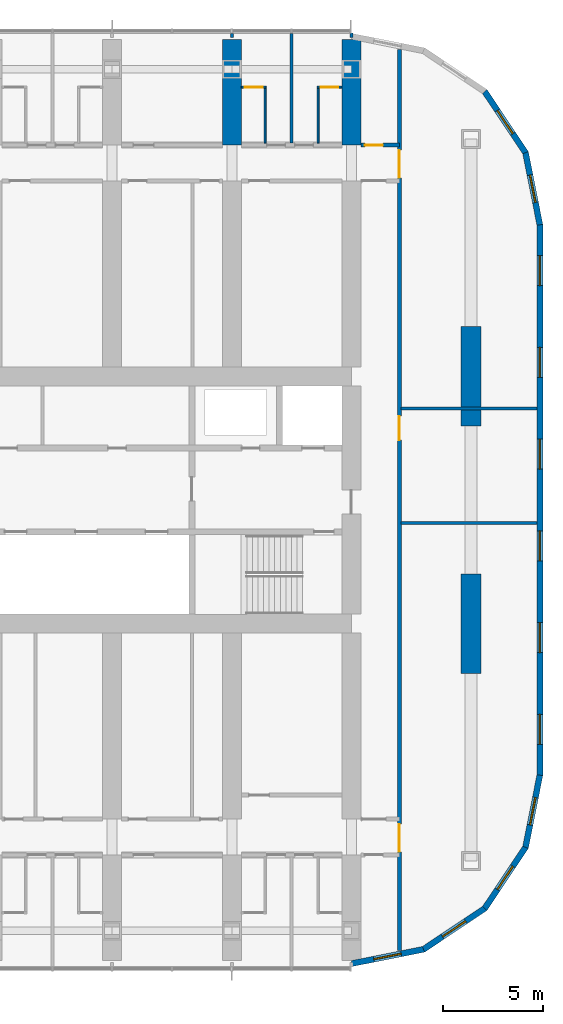
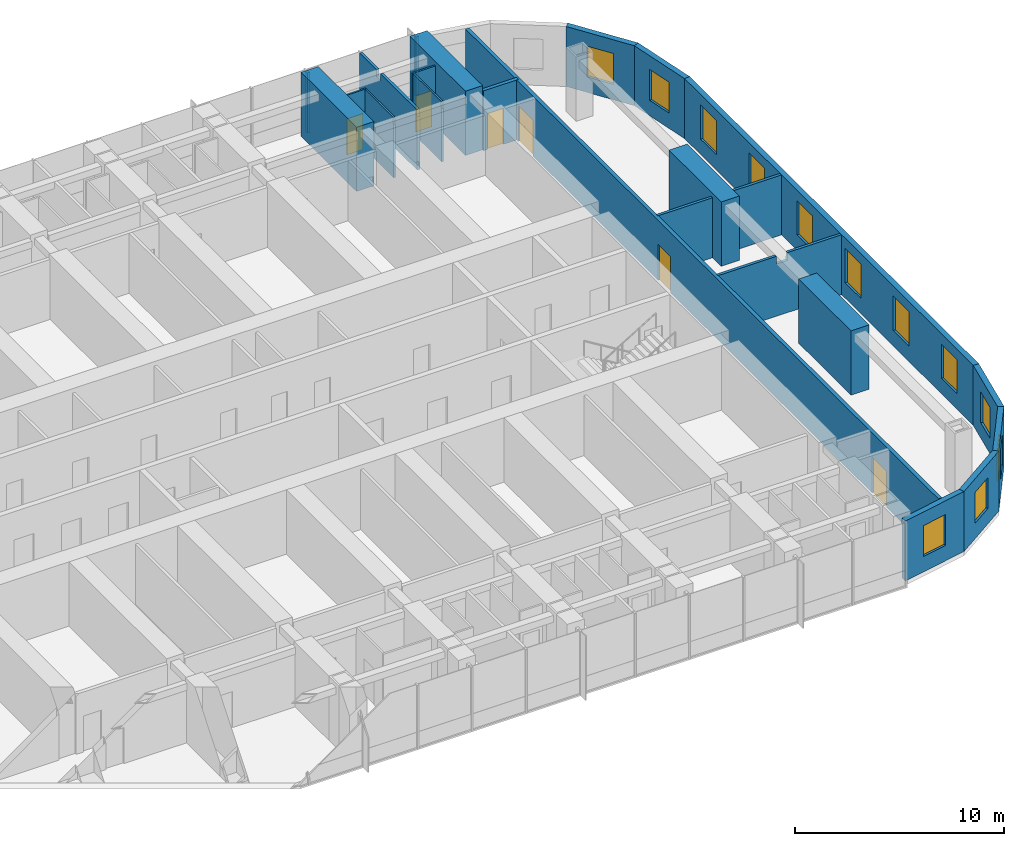
# One storey, part 15 of 21: 22 walls, 12 windows, 6 doors, 18 openings.
"""IFC4 building model written with IfcOpenShell, lengths in metres."""

from ifc_helpers import new_model, si_unit, direction, frame, frame_2d, origin, place, context, subcontext, project, spatial, polyline, rectangle, outline, extrude, material, layer, layer_set, type_object, element, fill, save


model = new_model("IFC4")

# Units and contexts
model_context = context("Model", 3, precision=1e-05, world=origin(), true_north=direction((0.0, 1.0)))
body_context = subcontext(model_context, "Body", "Model", "MODEL_VIEW")
ifc_project = project(units=[si_unit("LENGTHUNIT", "METRE"), si_unit("AREAUNIT", "SQUARE_METRE"), si_unit("VOLUMEUNIT", "CUBIC_METRE"), si_unit("PLANEANGLEUNIT", "RADIAN"), si_unit("MASSUNIT", "GRAM", prefix="KILO")], contexts=[model_context])

# Site, building, storey
site_placement = place(None, origin())
site = spatial("IfcSite", under=ifc_project, at=site_placement, CompositionType="ELEMENT")
building_placement = place(site_placement, origin())
building = spatial("IfcBuilding", under=site, at=building_placement, Name="Orbita Commons", CompositionType="ELEMENT")
storey_placement = place(building_placement, frame((0.0, 0.0, 106.89990234375)))
storey = spatial("IfcBuildingStorey", under=building, at=storey_placement, Name="L26", CompositionType="ELEMENT", Elevation=106.89990234375)

# Wall, opening, door
ifc_material_1 = material(Name="Concrete blockwork", Category="masonry")
ifc_layer_1 = layer(ifc_material_1, 0.199951171875)
ifc_layer_set_1 = layer_set([ifc_layer_1], Name="Concrete blockwork")
wall_type_1 = type_object("IfcWallType", Name="Corridor wall 200 blockwork", PredefinedType="SOLIDWALL", material=ifc_layer_set_1)
wall_1_placement = place(storey_placement, frame((66.47509765625, 49.800048828125, 0.0), z_axis=(0.0, 0.0, 1.0), x_axis=(1.0, 0.0, 0.0)))
wall_1 = element("IfcWall", 1, at=wall_1_placement, inside=storey, type_object=wall_type_1, Name="Corridor wall 200 blockwork L26", PredefinedType="SOLIDWALL", context=body_context, shape_type="SweptSolid", body=[
    extrude(rectangle(XDim=1.9248046875, YDim=0.199951171875, at=frame_2d((0.96240234375, 0.0))), origin(), (0.0, 0.0, 1.0), 3.5),
])
opening_1_placement = place(wall_1_placement, frame((0.199951171875, 0.0, 0.0)))
opening_1 = element("IfcOpeningElement", 2, at=opening_1_placement, cuts=wall_1, Name="Opening D05", PredefinedType="OPENING", context=body_context, shape_type="SweptSolid", body=[
    extrude(rectangle(XDim=0.89990234375, YDim=2.10009765625, at=frame_2d((0.449951171875, 1.050048828125))), frame((0.0, 0.10986328125, 0.0), z_axis=(0.0, -1.0, 0.0), x_axis=(1.0, 0.0, 0.0)), (0.0, 0.0, 1.0), 0.219970703125),
])
ifc_material_2 = material(Name="Steel-faced fire door leaf", Category="steel")
door_type_1 = type_object("IfcDoorType", Name="Service door 20 min 900x2100", OperationType="SINGLE_SWING_LEFT", PredefinedType="DOOR", material=ifc_material_2)
door_1_placement = place(opening_1_placement, origin())
door_1 = element("IfcDoor", 3, at=door_1_placement, inside=storey, type_object=door_type_1, Name="Linen store L26-KEN door", OperationType="SINGLE_SWING_LEFT", OverallHeight=2.10009765625, OverallWidth=0.89990234375, PredefinedType="DOOR", context=body_context, shape_type="SweptSolid", body=[
    extrude(rectangle(XDim=0.89990234375, YDim=2.10009765625, at=frame_2d((0.449951171875, 1.050048828125))), frame((0.0, 0.02490234375, 0.0), z_axis=(0.0, -1.0, 0.0), x_axis=(1.0, 0.0, 0.0)), (0.0, 0.0, 1.0), 0.050048828125),
])
fill(opening_1, door_1)

# Wall, openings, doors
wall_2_placement = place(storey_placement, frame((68.39990234375, 9.4052734375, 0.0), z_axis=(0.0, 0.0, 1.0), x_axis=(0.0, 1.0, 0.0)))
wall_2 = element("IfcWall", 4, at=wall_2_placement, inside=storey, type_object=wall_type_1, Name="Corridor wall 200 blockwork L26", PredefinedType="SOLIDWALL", context=body_context, shape_type="SweptSolid", body=[
    extrude(rectangle(XDim=45.189453125, YDim=0.199951171875, at=frame_2d((22.5947265625, 0.0))), origin(), (0.0, 0.0, 1.0), 3.5),
])
opening_2_placement = place(wall_2_placement, frame((25.5947265625, 0.0, 0.0)))
opening_2 = element("IfcOpeningElement", 5, at=opening_2_placement, cuts=wall_2, Name="Opening D15", PredefinedType="OPENING", context=body_context, shape_type="SweptSolid", body=[
    extrude(rectangle(XDim=1.199951171875, YDim=2.10009765625, at=frame_2d((0.60009765625, 1.050048828125))), frame((0.0, 0.10986328125, 0.0), z_axis=(0.0, -1.0, 0.0), x_axis=(1.0, 0.0, 0.0)), (0.0, 0.0, 1.0), 0.219970703125),
])
opening_3_placement = place(wall_2_placement, frame((4.94482421875, 0.0, 0.0)))
opening_3 = element("IfcOpeningElement", 6, at=opening_3_placement, cuts=wall_2, Name="Opening D08", PredefinedType="OPENING", context=body_context, shape_type="SweptSolid", body=[
    extrude(rectangle(XDim=1.39990234375, YDim=2.10009765625, at=frame_2d((0.699951171875, 1.050048828125))), frame((0.0, 0.10986328125, 0.0), z_axis=(0.0, -1.0, 0.0), x_axis=(1.0, 0.0, 0.0)), (0.0, 0.0, 1.0), 0.219970703125),
])
opening_4_placement = place(wall_2_placement, frame((38.74462890625, 0.0, 0.0)))
opening_4 = element("IfcOpeningElement", 7, at=opening_4_placement, cuts=wall_2, Name="Opening D08", PredefinedType="OPENING", context=body_context, shape_type="SweptSolid", body=[
    extrude(rectangle(XDim=1.39990234375, YDim=2.10009765625, at=frame_2d((0.699951171875, 1.050048828125))), frame((0.0, 0.10986328125, 0.0), z_axis=(0.0, -1.0, 0.0), x_axis=(1.0, 0.0, 0.0)), (0.0, 0.0, 1.0), 0.219970703125),
])
ifc_material_3 = material(Name="Steel-faced fire door leaf", Category="steel")
door_type_2 = type_object("IfcDoorType", Name="Corridor door 20 min 1200x2100", OperationType="SINGLE_SWING_LEFT", PredefinedType="DOOR", material=ifc_material_3)
door_2_placement = place(opening_2_placement, origin())
door_2 = element("IfcDoor", 8, at=door_2_placement, inside=storey, type_object=door_type_2, Name="Study commons door", OperationType="SINGLE_SWING_LEFT", OverallHeight=2.10009765625, OverallWidth=1.199951171875, PredefinedType="DOOR", context=body_context, shape_type="SweptSolid", body=[
    extrude(rectangle(XDim=1.199951171875, YDim=2.10009765625, at=frame_2d((0.60009765625, 1.050048828125))), frame((0.0, 0.02490234375, 0.0), z_axis=(0.0, -1.0, 0.0), x_axis=(1.0, 0.0, 0.0)), (0.0, 0.0, 1.0), 0.050048828125),
])
fill(opening_2, door_2)
ifc_material_4 = material(Name="Steel-faced fire door leaf", Category="steel")
door_type_3 = type_object("IfcDoorType", Name="Double corridor door 20 min 1400x2100", OperationType="DOUBLE_DOOR_SINGLE_SWING", PredefinedType="DOOR", material=ifc_material_4)
door_3_placement = place(opening_3_placement, origin())
door_3 = element("IfcDoor", 9, at=door_3_placement, inside=storey, type_object=door_type_3, Name="Lounge doors", OperationType="DOUBLE_DOOR_SINGLE_SWING", OverallHeight=2.10009765625, OverallWidth=1.39990234375, PredefinedType="DOOR", context=body_context, shape_type="SweptSolid", body=[
    extrude(rectangle(XDim=1.39990234375, YDim=2.10009765625, at=frame_2d((0.699951171875, 1.050048828125))), frame((0.0, 0.02490234375, 0.0), z_axis=(0.0, -1.0, 0.0), x_axis=(1.0, 0.0, 0.0)), (0.0, 0.0, 1.0), 0.050048828125),
])
fill(opening_3, door_3)
door_4_placement = place(opening_4_placement, origin())
door_4 = element("IfcDoor", 10, at=door_4_placement, inside=storey, type_object=door_type_3, Name="Lounge doors", OperationType="DOUBLE_DOOR_SINGLE_SWING", OverallHeight=2.10009765625, OverallWidth=1.39990234375, PredefinedType="DOOR", context=body_context, shape_type="SweptSolid", body=[
    extrude(rectangle(XDim=1.39990234375, YDim=2.10009765625, at=frame_2d((0.699951171875, 1.050048828125))), frame((0.0, 0.02490234375, 0.0), z_axis=(0.0, -1.0, 0.0), x_axis=(1.0, 0.0, 0.0)), (0.0, 0.0, 1.0), 0.050048828125),
])
fill(opening_4, door_4)

# Walls
ifc_material_5 = material(Name="Concrete C50/60", Category="concrete")
ifc_layer_2 = layer(ifc_material_5, 0.949951171875)
ifc_layer_set_2 = layer_set([ifc_layer_2], Name="Concrete C50/60")
wall_type_2 = type_object("IfcWallType", Name="Cross wall 950 C50/60", PredefinedType="SHEAR", material=ifc_layer_set_2)
for number, where, z_axis, x_axis, name in (
    (11, (60.0, 49.800048828125, 0.0), (0.0, 0.0, 1.0), (0.0, 1.0, 0.0), "Cross wall 11 north outer L26"),
    (12, (66.0, 49.800048828125, 0.0), (0.0, 0.0, 1.0), (0.0, 1.0, 0.0), "Cross wall 12 north outer L26"),
):
    element("IfcWall", number, at=place(storey_placement, frame(where, z_axis=z_axis, x_axis=x_axis)), inside=storey, type_object=wall_type_2, Name=name, PredefinedType="SHEAR", context=body_context, shape_type="SweptSolid", body=[
        extrude(rectangle(XDim=5.300048828125, YDim=0.949951171875, at=frame_2d((2.64990234375, 0.0))), origin(), (0.0, 0.0, 1.0), 3.75),
    ])

# Wall, opening, door
ifc_material_6 = material(Name="Moisture-resistant plasterboard on steel studs", Category="steel")
ifc_layer_3 = layer(ifc_material_6, 0.10009765625)
ifc_layer_set_3 = layer_set([ifc_layer_3], Name="Moisture-resistant plasterboard on steel studs")
wall_type_3 = type_object("IfcWallType", Name="En-suite partition 100", PredefinedType="PARTITIONING", material=ifc_layer_set_3)
wall_3_placement = place(storey_placement, frame((60.47509765625, 52.699951171875, 0.0), z_axis=(0.0, 0.0, 1.0), x_axis=(1.0, 0.0, 0.0)))
wall_3 = element("IfcWall", 13, at=wall_3_placement, inside=storey, type_object=wall_type_3, Name="En-suite partition 100 L26", PredefinedType="PARTITIONING", context=body_context, shape_type="SweptSolid", body=[
    extrude(rectangle(XDim=1.25, YDim=0.10009765625, at=frame_2d((0.625, 0.0))), origin(), (0.0, 0.0, 1.0), 3.5),
])
opening_5_placement = place(wall_3_placement, frame((0.175048828125, 0.0, 0.0)))
opening_5 = element("IfcOpeningElement", 14, at=opening_5_placement, cuts=wall_3, Name="Opening D09", PredefinedType="OPENING", context=body_context, shape_type="SweptSolid", body=[
    extrude(rectangle(XDim=0.89990234375, YDim=2.10009765625, at=frame_2d((0.449951171875, 1.050048828125))), frame((0.0, 0.06005859375, 0.0), z_axis=(0.0, -1.0, 0.0), x_axis=(1.0, 0.0, 0.0)), (0.0, 0.0, 1.0), 0.1201171875),
])
ifc_material_7 = material(Name="Laminated timber door leaf", Category="wood")
door_type_4 = type_object("IfcDoorType", Name="En-suite door 900x2100", OperationType="SINGLE_SWING_RIGHT", PredefinedType="DOOR", material=ifc_material_7)
door_5_placement = place(opening_5_placement, origin())
door_5 = element("IfcDoor", 15, at=door_5_placement, inside=storey, type_object=door_type_4, Name="En-suite L26-N16 door", OperationType="SINGLE_SWING_RIGHT", OverallHeight=2.10009765625, OverallWidth=0.89990234375, PredefinedType="DOOR", context=body_context, shape_type="SweptSolid", body=[
    extrude(rectangle(XDim=0.89990234375, YDim=2.10009765625, at=frame_2d((0.449951171875, 1.050048828125))), frame((0.0, 0.02490234375, 0.0), z_axis=(0.0, -1.0, 0.0), x_axis=(1.0, 0.0, 0.0)), (0.0, 0.0, 1.0), 0.050048828125),
])
fill(opening_5, door_5)

# Wall
wall_4_placement = place(storey_placement, frame((61.675048828125, 52.64990234375, 0.0), z_axis=(0.0, 0.0, 1.0), x_axis=(0.0, -1.0, 0.0)))
element("IfcWall", 16, at=wall_4_placement, inside=storey, type_object=wall_type_3, Name="En-suite partition 100 L26", PredefinedType="PARTITIONING", context=body_context, shape_type="SweptSolid", body=[
    extrude(outline(polyline([(0.0, 0.0), (2.75, 0.0), (2.75, 3.10009765625), (2.701904296875, 3.10009765625), (2.699951171875, 3.5), (0.0, 3.5), (0.0, 0.0)])), frame((0.0, 0.050048828125, 0.0), z_axis=(0.0, -1.0, 0.0), x_axis=(1.0, 0.0, 0.0)), (0.0, 0.0, 1.0), 0.10009765625),
])

# Wall, opening, door
wall_5_placement = place(storey_placement, frame((64.27490234375, 52.699951171875, 0.0), z_axis=(0.0, 0.0, 1.0), x_axis=(1.0, 0.0, 0.0)))
wall_5 = element("IfcWall", 17, at=wall_5_placement, inside=storey, type_object=wall_type_3, Name="En-suite partition 100 L26", PredefinedType="PARTITIONING", context=body_context, shape_type="SweptSolid", body=[
    extrude(rectangle(XDim=1.25, YDim=0.10009765625, at=frame_2d((0.625, 0.0))), origin(), (0.0, 0.0, 1.0), 3.5),
])
opening_6_placement = place(wall_5_placement, frame((0.175048828125, 0.0, 0.0)))
opening_6 = element("IfcOpeningElement", 18, at=opening_6_placement, cuts=wall_5, Name="Opening D09", PredefinedType="OPENING", context=body_context, shape_type="SweptSolid", body=[
    extrude(rectangle(XDim=0.89990234375, YDim=2.10009765625, at=frame_2d((0.449951171875, 1.050048828125))), frame((0.0, 0.06005859375, 0.0), z_axis=(0.0, -1.0, 0.0), x_axis=(1.0, 0.0, 0.0)), (0.0, 0.0, 1.0), 0.1201171875),
])
door_6_placement = place(opening_6_placement, origin())
door_6 = element("IfcDoor", 19, at=door_6_placement, inside=storey, type_object=door_type_4, Name="En-suite L26-N17 door", OperationType="SINGLE_SWING_RIGHT", OverallHeight=2.10009765625, OverallWidth=0.89990234375, PredefinedType="DOOR", context=body_context, shape_type="SweptSolid", body=[
    extrude(rectangle(XDim=0.89990234375, YDim=2.10009765625, at=frame_2d((0.449951171875, 1.050048828125))), frame((0.0, 0.02490234375, 0.0), z_axis=(0.0, -1.0, 0.0), x_axis=(1.0, 0.0, 0.0)), (0.0, 0.0, 1.0), 0.050048828125),
])
fill(opening_6, door_6)

# Walls
wall_6_placement = place(storey_placement, frame((64.324951171875, 52.64990234375, 0.0), z_axis=(0.0, 0.0, 1.0), x_axis=(0.0, -1.0, 0.0)))
element("IfcWall", 20, at=wall_6_placement, inside=storey, type_object=wall_type_3, Name="En-suite partition 100 L26", PredefinedType="PARTITIONING", context=body_context, shape_type="SweptSolid", body=[
    extrude(outline(polyline([(0.0, 0.0), (2.75, 0.0), (2.75, 3.10009765625), (2.701904296875, 3.10009765625), (2.699951171875, 3.5), (0.0, 3.5), (0.0, 0.0)])), frame((0.0, 0.050048828125, 0.0), z_axis=(0.0, -1.0, 0.0), x_axis=(1.0, 0.0, 0.0)), (0.0, 0.0, 1.0), 0.10009765625),
])
ifc_material_8 = material(Name="Concrete C50/60", Category="concrete")
ifc_layer_4 = layer(ifc_material_8, 1.0)
ifc_layer_set_4 = layer_set([ifc_layer_4], Name="Concrete C50/60")
wall_type_4 = type_object("IfcWallType", Name="End pier 1000x5000 C50/60", PredefinedType="SHEAR", material=ifc_layer_set_4)
for number, where, z_axis, x_axis, name in (
    (21, (72.0, 23.300048828125, 0.0), (0.0, 0.0, 1.0), (0.0, 1.0, 0.0), "End pier 13/C L26"),
    (22, (72.0, 35.699951171875, 0.0), (0.0, 0.0, 1.0), (0.0, 1.0, 0.0), "End pier 13/D L26"),
):
    element("IfcWall", number, at=place(storey_placement, frame(where, z_axis=z_axis, x_axis=x_axis)), inside=storey, type_object=wall_type_4, Name=name, PredefinedType="SHEAR", context=body_context, shape_type="SweptSolid", body=[
        extrude(rectangle(XDim=5.0, YDim=1.0, at=frame_2d((2.5, 0.0))), origin(), (0.0, 0.0, 1.0), 3.75),
    ])
ifc_material_9 = material(Name="Gypsum plasterboard on steel studs", Category="steel")
ifc_layer_5 = layer(ifc_material_9, 0.14990234375)
ifc_layer_set_5 = layer_set([ifc_layer_5], Name="Gypsum plasterboard on steel studs")
wall_type_5 = type_object("IfcWallType", Name="Partition 150 plasterboard", PredefinedType="PARTITIONING", material=ifc_layer_set_5)
wall_7_placement = place(storey_placement, frame((68.47509765625, 30.85009765625, 0.0), z_axis=(0.0, 0.0, 1.0), x_axis=(1.0, 0.0, 0.0)))
element("IfcWall", 23, at=wall_7_placement, inside=storey, type_object=wall_type_5, Name="Partition 150 plasterboard L26", PredefinedType="PARTITIONING", context=body_context, shape_type="SweptSolid", body=[
    extrude(outline(polyline([(0.0, 0.0), (6.81982421875, 0.0), (6.820068359375, 3.5), (3.826904296875, 3.5), (3.824951171875, 3.050048828125), (3.22705078125, 3.050048828125), (3.22509765625, 3.5), (0.0, 3.5), (0.0, 0.0)])), frame((0.0, 0.074951171875, 0.0), z_axis=(0.0, -1.0, 0.0), x_axis=(1.0, 0.0, 0.0)), (0.0, 0.0, 1.0), 0.14990234375),
])
wall_8_placement = place(storey_placement, frame((68.47509765625, 36.60009765625, 0.0), z_axis=(0.0, 0.0, 1.0), x_axis=(1.0, 0.0, 0.0)))
element("IfcWall", 24, at=wall_8_placement, inside=storey, type_object=wall_type_5, Name="Partition 150 plasterboard L26", PredefinedType="PARTITIONING", context=body_context, shape_type="SweptSolid", body=[
    extrude(rectangle(XDim=6.81982421875, YDim=0.14990234375, at=frame_2d((3.409912109375, 0.0))), origin(), (0.0, 0.0, 1.0), 3.5),
])
wall_9_placement = place(storey_placement, frame((60.0, 55.199951171875, 0.0), z_axis=(0.0, 0.0, 1.0), x_axis=(0.0, 1.0, 0.0)))
element("IfcWall", 25, at=wall_9_placement, inside=storey, type_object=wall_type_5, Name="Partition 150 plasterboard L26", PredefinedType="PARTITIONING", context=body_context, shape_type="SweptSolid", body=[
    extrude(rectangle(XDim=0.18994140625, YDim=0.14990234375, at=frame_2d((0.094970703125, 0.0))), origin(), (0.0, 0.0, 1.0), 3.5),
])
wall_10_placement = place(storey_placement, frame((66.0, 55.199951171875, 0.0), z_axis=(0.0, 0.0, 1.0), x_axis=(0.0, 1.0, 0.0)))
element("IfcWall", 26, at=wall_10_placement, inside=storey, type_object=wall_type_5, Name="Partition 150 plasterboard L26", PredefinedType="PARTITIONING", context=body_context, shape_type="SweptSolid", body=[
    extrude(rectangle(XDim=0.219970703125, YDim=0.14990234375, at=frame_2d((0.10986328125, 0.0))), origin(), (0.0, 0.0, 1.0), 3.5),
])
ifc_material_10 = material(Name="Gypsum plasterboard on steel studs", Category="steel")
ifc_layer_6 = layer(ifc_material_10, 0.14990234375)
ifc_layer_set_6 = layer_set([ifc_layer_6], Name="Gypsum plasterboard on steel studs")
wall_type_6 = type_object("IfcWallType", Name="Party wall 150 plasterboard", PredefinedType="PARTITIONING", material=ifc_layer_set_6)
wall_11_placement = place(storey_placement, frame((63.0, 55.389892578125, 0.0), z_axis=(0.0, 0.0, 1.0), x_axis=(0.0, -1.0, 0.0)))
element("IfcWall", 27, at=wall_11_placement, inside=storey, type_object=wall_type_6, Name="Party wall 150 plasterboard L26", PredefinedType="PARTITIONING", context=body_context, shape_type="SweptSolid", body=[
    extrude(outline(polyline([(0.0, 0.0), (5.489990234375, 0.0), (5.489990234375, 3.10009765625), (5.44189453125, 3.10009765625), (5.43994140625, 3.5), (1.991943359375, 3.5), (1.989990234375, 3.10009765625), (1.592041015625, 3.10009765625), (1.590087890625, 3.5), (0.0, 3.5), (0.0, 0.0)])), frame((0.0, 0.074951171875, 0.0), z_axis=(0.0, -1.0, 0.0), x_axis=(1.0, 0.0, 0.0)), (0.0, 0.0, 1.0), 0.14990234375),
])

# Wall, openings, windows
ifc_material_11 = material(Name="Precast concrete C40/50, white board-marked finish", Category="concrete")
ifc_layer_7 = layer(ifc_material_11, 0.300048828125)
ifc_layer_set_7 = layer_set([ifc_layer_7], Name="Precast concrete C40/50, white board-marked finish")
wall_type_7 = type_object("IfcWallType", Name="Precast concrete end shield 300", PredefinedType="SOLIDWALL", material=ifc_layer_set_7)
wall_12_placement = place(storey_placement, frame((75.449951171875, 18.199951171875, 0.0), z_axis=(0.0, 0.0, 1.0), x_axis=(0.0, 1.0, 0.0)))
wall_12 = element("IfcWall", 28, at=wall_12_placement, inside=storey, type_object=wall_type_7, Name="End shield E L26", PredefinedType="SOLIDWALL", context=body_context, shape_type="SweptSolid", body=[
    extrude(outline(polyline([(-0.014892578125, -0.14990234375), (27.614990234375, -0.14990234375), (27.585205078125, 0.14990234375), (0.014892578125, 0.14990234375), (-0.014892578125, -0.14990234375)])), origin(), (0.0, 0.0, 1.0), 3.5),
])
opening_7_placement = place(wall_12_placement, frame((1.550048828125, 0.0, 0.89990234375)))
opening_7 = element("IfcOpeningElement", 29, at=opening_7_placement, cuts=wall_12, Name="Opening W01", PredefinedType="OPENING", context=body_context, shape_type="SweptSolid", body=[
    extrude(rectangle(XDim=1.5, YDim=2.0, at=frame_2d((0.75, 1.0))), frame((0.0, 0.159912109375, 0.0), z_axis=(0.0, -1.0, 0.0), x_axis=(1.0, 0.0, 0.0)), (0.0, 0.0, 1.0), 0.320068359375),
])
opening_8_placement = place(wall_12_placement, frame((6.14990234375, 0.0, 0.89990234375)))
opening_8 = element("IfcOpeningElement", 30, at=opening_8_placement, cuts=wall_12, Name="Opening W01", PredefinedType="OPENING", context=body_context, shape_type="SweptSolid", body=[
    extrude(rectangle(XDim=1.5, YDim=2.0, at=frame_2d((0.75, 1.0))), frame((0.0, 0.159912109375, 0.0), z_axis=(0.0, -1.0, 0.0), x_axis=(1.0, 0.0, 0.0)), (0.0, 0.0, 1.0), 0.320068359375),
])
opening_9_placement = place(wall_12_placement, frame((10.75, 0.0, 0.89990234375)))
opening_9 = element("IfcOpeningElement", 31, at=opening_9_placement, cuts=wall_12, Name="Opening W01", PredefinedType="OPENING", context=body_context, shape_type="SweptSolid", body=[
    extrude(rectangle(XDim=1.5, YDim=2.0, at=frame_2d((0.75, 1.0))), frame((0.0, 0.159912109375, 0.0), z_axis=(0.0, -1.0, 0.0), x_axis=(1.0, 0.0, 0.0)), (0.0, 0.0, 1.0), 0.320068359375),
])
opening_10_placement = place(wall_12_placement, frame((15.35009765625, 0.0, 0.89990234375)))
opening_10 = element("IfcOpeningElement", 32, at=opening_10_placement, cuts=wall_12, Name="Opening W01", PredefinedType="OPENING", context=body_context, shape_type="SweptSolid", body=[
    extrude(rectangle(XDim=1.5, YDim=2.0, at=frame_2d((0.75, 1.0))), frame((0.0, 0.159912109375, 0.0), z_axis=(0.0, -1.0, 0.0), x_axis=(1.0, 0.0, 0.0)), (0.0, 0.0, 1.0), 0.320068359375),
])
opening_11_placement = place(wall_12_placement, frame((19.949951171875, 0.0, 0.89990234375)))
opening_11 = element("IfcOpeningElement", 33, at=opening_11_placement, cuts=wall_12, Name="Opening W01", PredefinedType="OPENING", context=body_context, shape_type="SweptSolid", body=[
    extrude(rectangle(XDim=1.5, YDim=2.0, at=frame_2d((0.75, 1.0))), frame((0.0, 0.159912109375, 0.0), z_axis=(0.0, -1.0, 0.0), x_axis=(1.0, 0.0, 0.0)), (0.0, 0.0, 1.0), 0.320068359375),
])
opening_12_placement = place(wall_12_placement, frame((24.550048828125, 0.0, 0.89990234375)))
opening_12 = element("IfcOpeningElement", 34, at=opening_12_placement, cuts=wall_12, Name="Opening W01", PredefinedType="OPENING", context=body_context, shape_type="SweptSolid", body=[
    extrude(rectangle(XDim=1.5, YDim=2.0, at=frame_2d((0.75, 1.0))), frame((0.0, 0.159912109375, 0.0), z_axis=(0.0, -1.0, 0.0), x_axis=(1.0, 0.0, 0.0)), (0.0, 0.0, 1.0), 0.320068359375),
])
ifc_material_12 = material(Name="Aluminium frame, clear double glazing", Category="aluminium")
window_type_1 = type_object("IfcWindowType", Name="Deep-set window 1500x2000", PartitioningType="SINGLE_PANEL", PredefinedType="WINDOW", material=ifc_material_12)
window_1_placement = place(opening_7_placement, origin())
window_1 = element("IfcWindow", 35, at=window_1_placement, inside=storey, type_object=window_type_1, Name="Window L26-E 1", OverallHeight=2.0, OverallWidth=1.5, PartitioningType="SINGLE_PANEL", PredefinedType="WINDOW", context=body_context, shape_type="SweptSolid", body=[
    extrude(rectangle(XDim=1.5, YDim=2.0, at=frame_2d((0.75, 1.0))), frame((0.0, 0.030029296875, 0.0), z_axis=(0.0, -1.0, 0.0), x_axis=(1.0, 0.0, 0.0)), (0.0, 0.0, 1.0), 0.06005859375),
])
fill(opening_7, window_1)
window_2_placement = place(opening_8_placement, origin())
window_2 = element("IfcWindow", 36, at=window_2_placement, inside=storey, type_object=window_type_1, Name="Window L26-E 2", OverallHeight=2.0, OverallWidth=1.5, PartitioningType="SINGLE_PANEL", PredefinedType="WINDOW", context=body_context, shape_type="SweptSolid", body=[
    extrude(rectangle(XDim=1.5, YDim=2.0, at=frame_2d((0.75, 1.0))), frame((0.0, 0.030029296875, 0.0), z_axis=(0.0, -1.0, 0.0), x_axis=(1.0, 0.0, 0.0)), (0.0, 0.0, 1.0), 0.06005859375),
])
fill(opening_8, window_2)
window_3_placement = place(opening_9_placement, origin())
window_3 = element("IfcWindow", 37, at=window_3_placement, inside=storey, type_object=window_type_1, Name="Window L26-E 3", OverallHeight=2.0, OverallWidth=1.5, PartitioningType="SINGLE_PANEL", PredefinedType="WINDOW", context=body_context, shape_type="SweptSolid", body=[
    extrude(rectangle(XDim=1.5, YDim=2.0, at=frame_2d((0.75, 1.0))), frame((0.0, 0.030029296875, 0.0), z_axis=(0.0, -1.0, 0.0), x_axis=(1.0, 0.0, 0.0)), (0.0, 0.0, 1.0), 0.06005859375),
])
fill(opening_9, window_3)
window_4_placement = place(opening_10_placement, origin())
window_4 = element("IfcWindow", 38, at=window_4_placement, inside=storey, type_object=window_type_1, Name="Window L26-E 4", OverallHeight=2.0, OverallWidth=1.5, PartitioningType="SINGLE_PANEL", PredefinedType="WINDOW", context=body_context, shape_type="SweptSolid", body=[
    extrude(rectangle(XDim=1.5, YDim=2.0, at=frame_2d((0.75, 1.0))), frame((0.0, 0.030029296875, 0.0), z_axis=(0.0, -1.0, 0.0), x_axis=(1.0, 0.0, 0.0)), (0.0, 0.0, 1.0), 0.06005859375),
])
fill(opening_10, window_4)
window_5_placement = place(opening_11_placement, origin())
window_5 = element("IfcWindow", 39, at=window_5_placement, inside=storey, type_object=window_type_1, Name="Window L26-E 5", OverallHeight=2.0, OverallWidth=1.5, PartitioningType="SINGLE_PANEL", PredefinedType="WINDOW", context=body_context, shape_type="SweptSolid", body=[
    extrude(rectangle(XDim=1.5, YDim=2.0, at=frame_2d((0.75, 1.0))), frame((0.0, 0.030029296875, 0.0), z_axis=(0.0, -1.0, 0.0), x_axis=(1.0, 0.0, 0.0)), (0.0, 0.0, 1.0), 0.06005859375),
])
fill(opening_11, window_5)
window_6_placement = place(opening_12_placement, origin())
window_6 = element("IfcWindow", 40, at=window_6_placement, inside=storey, type_object=window_type_1, Name="Window L26-E 6", OverallHeight=2.0, OverallWidth=1.5, PartitioningType="SINGLE_PANEL", PredefinedType="WINDOW", context=body_context, shape_type="SweptSolid", body=[
    extrude(rectangle(XDim=1.5, YDim=2.0, at=frame_2d((0.75, 1.0))), frame((0.0, 0.030029296875, 0.0), z_axis=(0.0, -1.0, 0.0), x_axis=(1.0, 0.0, 0.0)), (0.0, 0.0, 1.0), 0.06005859375),
])
fill(opening_12, window_6)

# Wall, opening, window
wall_13_placement = place(storey_placement, frame((66.0, 8.75, 0.0), z_axis=(0.0, 0.0, 1.0), x_axis=(0.980791473772, 0.195059183267, 0.0)))
wall_13 = element("IfcWall", 41, at=wall_13_placement, inside=storey, type_object=wall_type_7, Name="End shield SE chord 1 L26", PredefinedType="SOLIDWALL", context=body_context, shape_type="SweptSolid", body=[
    extrude(outline(polyline([(-0.02978515625, -0.14990234375), (3.717041015625, -0.14990234375), (3.657470703125, 0.14990234375), (0.02978515625, 0.14990234375), (-0.02978515625, -0.14990234375)])), origin(), (0.0, 0.0, 1.0), 3.5),
])
opening_13_placement = place(wall_13_placement, frame((1.1435546875, 0.0, 0.89990234375)))
opening_13 = element("IfcOpeningElement", 42, at=opening_13_placement, cuts=wall_13, Name="Opening W02", PredefinedType="OPENING", context=body_context, shape_type="SweptSolid", body=[
    extrude(rectangle(XDim=1.39990234375, YDim=1.800048828125, at=frame_2d((0.699951171875, 0.89990234375))), frame((0.0, 0.159912109375, 0.0), z_axis=(0.0, -1.0, 0.0), x_axis=(1.0, 0.0, 0.0)), (0.0, 0.0, 1.0), 0.320068359375),
])
ifc_material_13 = material(Name="Aluminium frame, clear double glazing", Category="aluminium")
window_type_2 = type_object("IfcWindowType", Name="Deep-set window 1400x1800", PartitioningType="SINGLE_PANEL", PredefinedType="WINDOW", material=ifc_material_13)
window_7_placement = place(opening_13_placement, origin())
window_7 = element("IfcWindow", 43, at=window_7_placement, inside=storey, type_object=window_type_2, Name="Window L26-SE0", OverallHeight=1.800048828125, OverallWidth=1.39990234375, PartitioningType="SINGLE_PANEL", PredefinedType="WINDOW", context=body_context, shape_type="SweptSolid", body=[
    extrude(rectangle(XDim=1.39990234375, YDim=1.800048828125, at=frame_2d((0.699951171875, 0.89990234375))), frame((0.0, 0.030029296875, 0.0), z_axis=(0.0, -1.0, 0.0), x_axis=(1.0, 0.0, 0.0)), (0.0, 0.0, 1.0), 0.06005859375),
])
fill(opening_13, window_7)

wall_14_placement = place(storey_placement, frame((69.616455078125, 9.46923828125, 0.0), z_axis=(0.0, 0.0, 1.0), x_axis=(0.831448786846, 0.555601399253, 0.0)))
wall_14 = element("IfcWall", 44, at=wall_14_placement, inside=storey, type_object=wall_type_7, Name="End shield SE chord 2 L26", PredefinedType="SOLIDWALL", context=body_context, shape_type="SweptSolid", body=[
    extrude(outline(polyline([(-0.02978515625, -0.14990234375), (3.717041015625, -0.14990234375), (3.657470703125, 0.14990234375), (0.02978515625, 0.14990234375), (-0.02978515625, -0.14990234375)])), origin(), (0.0, 0.0, 1.0), 3.5),
])
opening_14_placement = place(wall_14_placement, frame((1.1435546875, 0.0, 0.89990234375)))
opening_14 = element("IfcOpeningElement", 45, at=opening_14_placement, cuts=wall_14, Name="Opening W02", PredefinedType="OPENING", context=body_context, shape_type="SweptSolid", body=[
    extrude(rectangle(XDim=1.39990234375, YDim=1.800048828125, at=frame_2d((0.699951171875, 0.89990234375))), frame((0.0, 0.159912109375, 0.0), z_axis=(0.0, -1.0, 0.0), x_axis=(1.0, 0.0, 0.0)), (0.0, 0.0, 1.0), 0.320068359375),
])
window_8_placement = place(opening_14_placement, origin())
window_8 = element("IfcWindow", 46, at=window_8_placement, inside=storey, type_object=window_type_2, Name="Window L26-SE1", OverallHeight=1.800048828125, OverallWidth=1.39990234375, PartitioningType="SINGLE_PANEL", PredefinedType="WINDOW", context=body_context, shape_type="SweptSolid", body=[
    extrude(rectangle(XDim=1.39990234375, YDim=1.800048828125, at=frame_2d((0.699951171875, 0.89990234375))), frame((0.0, 0.030029296875, 0.0), z_axis=(0.0, -1.0, 0.0), x_axis=(1.0, 0.0, 0.0)), (0.0, 0.0, 1.0), 0.06005859375),
])
fill(opening_14, window_8)

wall_15_placement = place(storey_placement, frame((72.68212890625, 11.517822265625, 0.0), z_axis=(0.0, 0.0, 1.0), x_axis=(0.555601399253, 0.831448786846, 0.0)))
wall_15 = element("IfcWall", 47, at=wall_15_placement, inside=storey, type_object=wall_type_7, Name="End shield SE chord 3 L26", PredefinedType="SOLIDWALL", context=body_context, shape_type="SweptSolid", body=[
    extrude(outline(polyline([(-0.02978515625, -0.14990234375), (3.717041015625, -0.14990234375), (3.657470703125, 0.14990234375), (0.02978515625, 0.14990234375), (-0.02978515625, -0.14990234375)])), origin(), (0.0, 0.0, 1.0), 3.5),
])
opening_15_placement = place(wall_15_placement, frame((1.1435546875, 0.0, 0.89990234375)))
opening_15 = element("IfcOpeningElement", 48, at=opening_15_placement, cuts=wall_15, Name="Opening W02", PredefinedType="OPENING", context=body_context, shape_type="SweptSolid", body=[
    extrude(rectangle(XDim=1.39990234375, YDim=1.800048828125, at=frame_2d((0.699951171875, 0.89990234375))), frame((0.0, 0.159912109375, 0.0), z_axis=(0.0, -1.0, 0.0), x_axis=(1.0, 0.0, 0.0)), (0.0, 0.0, 1.0), 0.320068359375),
])
window_9_placement = place(opening_15_placement, origin())
window_9 = element("IfcWindow", 49, at=window_9_placement, inside=storey, type_object=window_type_2, Name="Window L26-SE2", OverallHeight=1.800048828125, OverallWidth=1.39990234375, PartitioningType="SINGLE_PANEL", PredefinedType="WINDOW", context=body_context, shape_type="SweptSolid", body=[
    extrude(rectangle(XDim=1.39990234375, YDim=1.800048828125, at=frame_2d((0.699951171875, 0.89990234375))), frame((0.0, 0.030029296875, 0.0), z_axis=(0.0, -1.0, 0.0), x_axis=(1.0, 0.0, 0.0)), (0.0, 0.0, 1.0), 0.06005859375),
])
fill(opening_15, window_9)

wall_16_placement = place(storey_placement, frame((74.730712890625, 14.58349609375, 0.0), z_axis=(0.0, 0.0, 1.0), x_axis=(0.195059183267, 0.980791473772, 0.0)))
wall_16 = element("IfcWall", 50, at=wall_16_placement, inside=storey, type_object=wall_type_7, Name="End shield SE chord 4 L26", PredefinedType="SOLIDWALL", context=body_context, shape_type="SweptSolid", body=[
    extrude(outline(polyline([(-0.02978515625, -0.14990234375), (3.7021484375, -0.14990234375), (3.67236328125, 0.14990234375), (0.02978515625, 0.14990234375), (-0.02978515625, -0.14990234375)])), origin(), (0.0, 0.0, 1.0), 3.5),
])
opening_16_placement = place(wall_16_placement, frame((1.1435546875, 0.0, 0.89990234375)))
opening_16 = element("IfcOpeningElement", 51, at=opening_16_placement, cuts=wall_16, Name="Opening W02", PredefinedType="OPENING", context=body_context, shape_type="SweptSolid", body=[
    extrude(rectangle(XDim=1.39990234375, YDim=1.800048828125, at=frame_2d((0.699951171875, 0.89990234375))), frame((0.0, 0.159912109375, 0.0), z_axis=(0.0, -1.0, 0.0), x_axis=(1.0, 0.0, 0.0)), (0.0, 0.0, 1.0), 0.320068359375),
])
window_10_placement = place(opening_16_placement, origin())
window_10 = element("IfcWindow", 52, at=window_10_placement, inside=storey, type_object=window_type_2, Name="Window L26-SE3", OverallHeight=1.800048828125, OverallWidth=1.39990234375, PartitioningType="SINGLE_PANEL", PredefinedType="WINDOW", context=body_context, shape_type="SweptSolid", body=[
    extrude(rectangle(XDim=1.39990234375, YDim=1.800048828125, at=frame_2d((0.699951171875, 0.89990234375))), frame((0.0, 0.030029296875, 0.0), z_axis=(0.0, -1.0, 0.0), x_axis=(1.0, 0.0, 0.0)), (0.0, 0.0, 1.0), 0.06005859375),
])
fill(opening_16, window_10)

wall_17_placement = place(storey_placement, frame((75.449951171875, 45.800048828125, 0.0), z_axis=(0.0, 0.0, 1.0), x_axis=(-0.195059183267, 0.980791473772, 0.0)))
wall_17 = element("IfcWall", 53, at=wall_17_placement, inside=storey, type_object=wall_type_7, Name="End shield NE chord 1 L26", PredefinedType="SOLIDWALL", context=body_context, shape_type="SweptSolid", body=[
    extrude(outline(polyline([(-0.014892578125, -0.14990234375), (3.717041015625, -0.14990234375), (3.657470703125, 0.14990234375), (0.014892578125, 0.14990234375), (-0.014892578125, -0.14990234375)])), origin(), (0.0, 0.0, 1.0), 3.5),
])
opening_17_placement = place(wall_17_placement, frame((1.1435546875, 0.0, 0.89990234375)))
opening_17 = element("IfcOpeningElement", 54, at=opening_17_placement, cuts=wall_17, Name="Opening W02", PredefinedType="OPENING", context=body_context, shape_type="SweptSolid", body=[
    extrude(rectangle(XDim=1.39990234375, YDim=1.800048828125, at=frame_2d((0.699951171875, 0.89990234375))), frame((0.0, 0.159912109375, 0.0), z_axis=(0.0, -1.0, 0.0), x_axis=(1.0, 0.0, 0.0)), (0.0, 0.0, 1.0), 0.320068359375),
])
window_11_placement = place(opening_17_placement, origin())
window_11 = element("IfcWindow", 55, at=window_11_placement, inside=storey, type_object=window_type_2, Name="Window L26-NE0", OverallHeight=1.800048828125, OverallWidth=1.39990234375, PartitioningType="SINGLE_PANEL", PredefinedType="WINDOW", context=body_context, shape_type="SweptSolid", body=[
    extrude(rectangle(XDim=1.39990234375, YDim=1.800048828125, at=frame_2d((0.699951171875, 0.89990234375))), frame((0.0, 0.030029296875, 0.0), z_axis=(0.0, -1.0, 0.0), x_axis=(1.0, 0.0, 0.0)), (0.0, 0.0, 1.0), 0.06005859375),
])
fill(opening_17, window_11)

wall_18_placement = place(storey_placement, frame((74.730712890625, 49.41650390625, 0.0), z_axis=(0.0, 0.0, 1.0), x_axis=(-0.555601399253, 0.831448786846, 0.0)))
wall_18 = element("IfcWall", 56, at=wall_18_placement, inside=storey, type_object=wall_type_7, Name="End shield NE chord 2 L26", PredefinedType="SOLIDWALL", context=body_context, shape_type="SweptSolid", body=[
    extrude(outline(polyline([(-0.02978515625, -0.14990234375), (3.717041015625, -0.14990234375), (3.657470703125, 0.14990234375), (0.02978515625, 0.14990234375), (-0.02978515625, -0.14990234375)])), origin(), (0.0, 0.0, 1.0), 3.5),
])
opening_18_placement = place(wall_18_placement, frame((1.1435546875, 0.0, 0.89990234375)))
opening_18 = element("IfcOpeningElement", 57, at=opening_18_placement, cuts=wall_18, Name="Opening W02", PredefinedType="OPENING", context=body_context, shape_type="SweptSolid", body=[
    extrude(rectangle(XDim=1.39990234375, YDim=1.800048828125, at=frame_2d((0.699951171875, 0.89990234375))), frame((0.0, 0.159912109375, 0.0), z_axis=(0.0, -1.0, 0.0), x_axis=(1.0, 0.0, 0.0)), (0.0, 0.0, 1.0), 0.320068359375),
])
window_12_placement = place(opening_18_placement, origin())
window_12 = element("IfcWindow", 58, at=window_12_placement, inside=storey, type_object=window_type_2, Name="Window L26-NE1", OverallHeight=1.800048828125, OverallWidth=1.39990234375, PartitioningType="SINGLE_PANEL", PredefinedType="WINDOW", context=body_context, shape_type="SweptSolid", body=[
    extrude(rectangle(XDim=1.39990234375, YDim=1.800048828125, at=frame_2d((0.699951171875, 0.89990234375))), frame((0.0, 0.030029296875, 0.0), z_axis=(0.0, -1.0, 0.0), x_axis=(1.0, 0.0, 0.0)), (0.0, 0.0, 1.0), 0.06005859375),
])
fill(opening_18, window_12)

save(model, "model.ifc")
